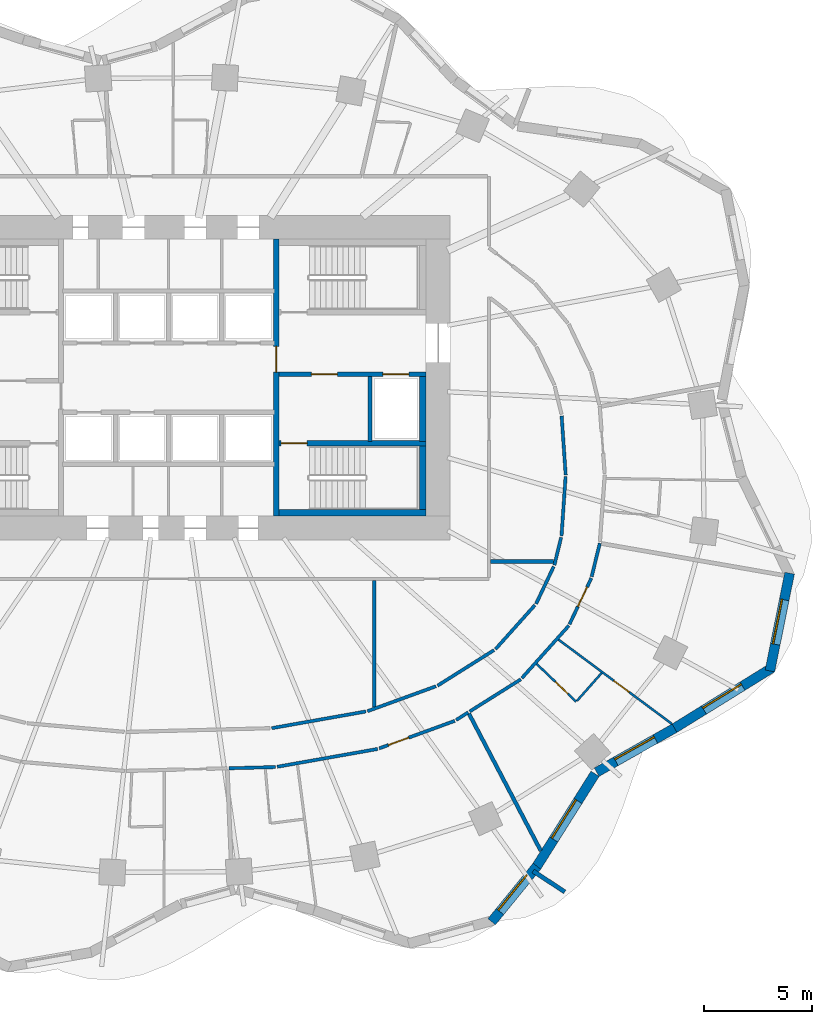
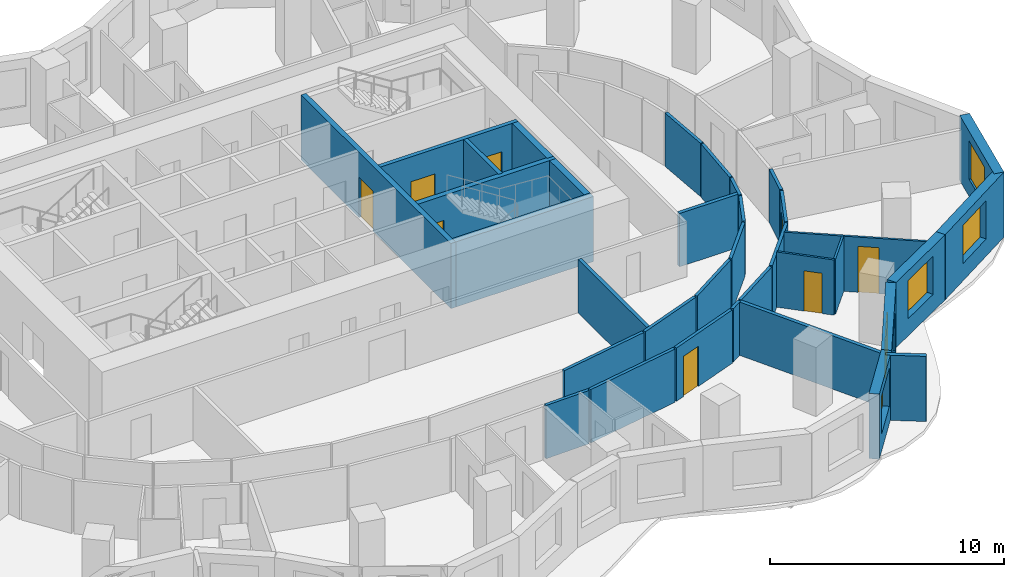
# One storey, part 6 of 10: 35 walls, 8 doors, 5 windows, 13 openings.
"""IFC4 building model written with IfcOpenShell, lengths in metres."""

from ifc_helpers import new_model, si_unit, direction, frame, frame_2d, origin, place, context, subcontext, project, spatial, rectangle, extrude, material, layer, layer_set, type_object, element, fill, save


model = new_model("IFC4")

# Units and contexts
model_context = context("Model", 3, precision=1e-05, world=origin(), true_north=direction((0.0, 1.0)))
body_context = subcontext(model_context, "Body", "Model", "MODEL_VIEW")
ifc_project = project(units=[si_unit("LENGTHUNIT", "METRE"), si_unit("AREAUNIT", "SQUARE_METRE"), si_unit("VOLUMEUNIT", "CUBIC_METRE"), si_unit("PLANEANGLEUNIT", "RADIAN"), si_unit("MASSUNIT", "GRAM", prefix="KILO")], contexts=[model_context])

# Site, building, storey
site_placement = place(None, origin())
site = spatial("IfcSite", under=ifc_project, at=site_placement, CompositionType="ELEMENT")
building_placement = place(site_placement, origin())
building = spatial("IfcBuilding", under=site, at=building_placement, Name="Rubra Terraces Tower", CompositionType="ELEMENT")
storey_placement = place(building_placement, frame((0.0, 0.0, 88.800048828125)))
storey = spatial("IfcBuildingStorey", under=building, at=storey_placement, Name="L20", CompositionType="ELEMENT", Elevation=88.800048828125)

# Walls
ifc_material_1 = material(Name="Twin plasterboard on staggered steel stud, acoustic mineral wool", Category="steel")
ifc_layer_1 = layer(ifc_material_1, 0.175048828125)
ifc_layer_set_1 = layer_set([ifc_layer_1], Name="Twin plasterboard on staggered steel stud, acoustic mineral wool")
wall_type_1 = type_object("IfcWallType", Name="ACOUSTIC PARTY WALL 175", PredefinedType="PARTITIONING", material=ifc_layer_set_1)
wall_1_placement = place(storey_placement, frame((17.19287109375, -17.35986328125, 0.0), z_axis=(0.0, 0.0, 1.0), x_axis=(-0.464005717448, 0.8858322043, 0.0)))
element("IfcWall", 1, at=wall_1_placement, inside=storey, type_object=wall_type_1, Name="PARTITION", PredefinedType="PARTITIONING", context=body_context, shape_type="SweptSolid", body=[
    extrude(rectangle(XDim=7.142578125, YDim=0.175048828125, at=frame_2d((3.5712890625, 0.0))), origin(), (0.0, 0.0, 1.0), 2.783935546875),
])
wall_2_placement = place(storey_placement, frame((9.5, -10.723388671875, 0.0), z_axis=(0.0, 0.0, 1.0), x_axis=(0.0, 1.0, 0.0)))
element("IfcWall", 2, at=wall_2_placement, inside=storey, type_object=wall_type_1, Name="PARTITION", PredefinedType="PARTITIONING", context=body_context, shape_type="SweptSolid", body=[
    extrude(rectangle(XDim=5.848388671875, YDim=0.175048828125, at=frame_2d((2.92431640625, 0.0))), origin(), (0.0, 0.0, 1.0), 2.783935546875),
])
wall_3_placement = place(storey_placement, frame((14.875, -4.0, 0.0), z_axis=(0.0, 0.0, 1.0), x_axis=(1.0, 0.0, 0.0)))
element("IfcWall", 3, at=wall_3_placement, inside=storey, type_object=wall_type_1, Name="PARTITION", PredefinedType="PARTITIONING", context=body_context, shape_type="SweptSolid", body=[
    extrude(rectangle(XDim=2.912109375, YDim=0.175048828125, at=frame_2d((1.4560546875, 0.0))), origin(), (0.0, 0.0, 1.0), 2.783935546875),
])

# Wall, opening, window
ifc_material_2 = material(Name="Brick masonry red-brown", Category="masonry")
ifc_layer_2 = layer(ifc_material_2, 0.449951171875)
ifc_layer_set_2 = layer_set([ifc_layer_2], Name="Brick masonry red-brown")
wall_type_2 = type_object("IfcWallType", Name="Brick facade wall 450", PredefinedType="SOLIDWALL", material=ifc_layer_set_2)
wall_4_placement = place(storey_placement, frame((14.925537109375, -20.640869140625, 0.0), z_axis=(0.0, 0.0, 1.0), x_axis=(0.631548074669, 0.775336720001, 0.0)))
wall_4 = element("IfcWall", 4, at=wall_4_placement, inside=storey, type_object=wall_type_2, Name="Facade wall L20 bay 35", PredefinedType="SOLIDWALL", context=body_context, shape_type="SweptSolid", body=[
    extrude(rectangle(XDim=3.3076171875, YDim=0.449951171875, at=frame_2d((1.65380859375, 0.0))), origin(), (0.0, 0.0, 1.0), 3.39990234375),
])
opening_1_placement = place(wall_4_placement, frame((0.603759765625, 0.0, 0.89990234375)))
opening_1 = element("IfcOpeningElement", 5, at=opening_1_placement, cuts=wall_4, Name="Opening W1", PredefinedType="OPENING", context=body_context, shape_type="SweptSolid", body=[
    extrude(rectangle(XDim=2.10009765625, YDim=2.0, at=frame_2d((1.050048828125, 1.0))), frame((0.0, 0.23486328125, 0.0), z_axis=(0.0, -1.0, 0.0), x_axis=(1.0, 0.0, 0.0)), (0.0, 0.0, 1.0), 0.469970703125),
])
ifc_material_3 = material(Name="Clear glass in aluminium frame", Category="aluminium")
window_type = type_object("IfcWindowType", Name="Fixed deep-set window 2100 x 2000", PartitioningType="SINGLE_PANEL", PredefinedType="WINDOW", material=ifc_material_3)
window_1_placement = place(opening_1_placement, origin())
window_1 = element("IfcWindow", 6, at=window_1_placement, inside=storey, type_object=window_type, Name="Window L20 bay 35", OverallHeight=2.0, OverallWidth=2.10009765625, PartitioningType="SINGLE_PANEL", PredefinedType="WINDOW", context=body_context, shape_type="SweptSolid", body=[
    extrude(rectangle(XDim=2.10009765625, YDim=2.0, at=frame_2d((1.050048828125, 1.0))), frame((0.0, 0.135009765625, 0.0), z_axis=(0.0, -1.0, 0.0), x_axis=(1.0, 0.0, 0.0)), (0.0, 0.0, 1.0), 0.06005859375),
])
fill(opening_1, window_1)

wall_5_placement = place(storey_placement, frame((16.998291015625, -18.0986328125, 0.0), z_axis=(0.0, 0.0, 1.0), x_axis=(0.532745661304, 0.846275404559, 0.0)))
wall_5 = element("IfcWall", 7, at=wall_5_placement, inside=storey, type_object=wall_type_2, Name="Facade wall L20 bay 36", PredefinedType="SOLIDWALL", context=body_context, shape_type="SweptSolid", body=[
    extrude(rectangle(XDim=5.076171875, YDim=0.449951171875, at=frame_2d((2.5380859375, 0.0))), origin(), (0.0, 0.0, 1.0), 3.39990234375),
])
opening_2_placement = place(wall_5_placement, frame((1.488037109375, 0.0, 0.89990234375)))
opening_2 = element("IfcOpeningElement", 8, at=opening_2_placement, cuts=wall_5, Name="Opening W1", PredefinedType="OPENING", context=body_context, shape_type="SweptSolid", body=[
    extrude(rectangle(XDim=2.10009765625, YDim=2.0, at=frame_2d((1.050048828125, 1.0))), frame((0.0, 0.23486328125, 0.0), z_axis=(0.0, -1.0, 0.0), x_axis=(1.0, 0.0, 0.0)), (0.0, 0.0, 1.0), 0.469970703125),
])
window_2_placement = place(opening_2_placement, origin())
window_2 = element("IfcWindow", 9, at=window_2_placement, inside=storey, type_object=window_type, Name="Window L20 bay 36", OverallHeight=2.0, OverallWidth=2.10009765625, PartitioningType="SINGLE_PANEL", PredefinedType="WINDOW", context=body_context, shape_type="SweptSolid", body=[
    extrude(rectangle(XDim=2.10009765625, YDim=2.0, at=frame_2d((1.050048828125, 1.0))), frame((0.0, 0.135009765625, 0.0), z_axis=(0.0, -1.0, 0.0), x_axis=(1.0, 0.0, 0.0)), (0.0, 0.0, 1.0), 0.06005859375),
])
fill(opening_2, window_2)

wall_6_placement = place(storey_placement, frame((19.77587890625, -13.730712890625, 0.0), z_axis=(0.0, 0.0, 1.0), x_axis=(0.870610133829, 0.491973571318, 0.0)))
wall_6 = element("IfcWall", 10, at=wall_6_placement, inside=storey, type_object=wall_type_2, Name="Facade wall L20 bay 37", PredefinedType="SOLIDWALL", context=body_context, shape_type="SweptSolid", body=[
    extrude(rectangle(XDim=4.1337890625, YDim=0.449951171875, at=frame_2d((2.06689453125, 0.0))), origin(), (0.0, 0.0, 1.0), 3.39990234375),
])
opening_3_placement = place(wall_6_placement, frame((1.016845703125, 0.0, 0.89990234375)))
opening_3 = element("IfcOpeningElement", 11, at=opening_3_placement, cuts=wall_6, Name="Opening W1", PredefinedType="OPENING", context=body_context, shape_type="SweptSolid", body=[
    extrude(rectangle(XDim=2.10009765625, YDim=2.0, at=frame_2d((1.050048828125, 1.0))), frame((0.0, 0.23486328125, 0.0), z_axis=(0.0, -1.0, 0.0), x_axis=(1.0, 0.0, 0.0)), (0.0, 0.0, 1.0), 0.469970703125),
])
window_3_placement = place(opening_3_placement, origin())
window_3 = element("IfcWindow", 12, at=window_3_placement, inside=storey, type_object=window_type, Name="Window L20 bay 37", OverallHeight=2.0, OverallWidth=2.10009765625, PartitioningType="SINGLE_PANEL", PredefinedType="WINDOW", context=body_context, shape_type="SweptSolid", body=[
    extrude(rectangle(XDim=2.10009765625, YDim=2.0, at=frame_2d((1.050048828125, 1.0))), frame((0.0, 0.135009765625, 0.0), z_axis=(0.0, -1.0, 0.0), x_axis=(1.0, 0.0, 0.0)), (0.0, 0.0, 1.0), 0.06005859375),
])
fill(opening_3, window_3)

wall_7_placement = place(storey_placement, frame((23.368408203125, -11.700927734375, 0.0), z_axis=(0.0, 0.0, 1.0), x_axis=(0.850251408633, 0.526376806211, 0.0)))
wall_7 = element("IfcWall", 13, at=wall_7_placement, inside=storey, type_object=wall_type_2, Name="Facade wall L20 bay 38", PredefinedType="SOLIDWALL", context=body_context, shape_type="SweptSolid", body=[
    extrude(rectangle(XDim=5.30224609375, YDim=0.449951171875, at=frame_2d((2.651123046875, 0.0))), origin(), (0.0, 0.0, 1.0), 3.39990234375),
])
opening_4_placement = place(wall_7_placement, frame((1.601318359375, 0.0, 0.89990234375)))
opening_4 = element("IfcOpeningElement", 14, at=opening_4_placement, cuts=wall_7, Name="Opening W1", PredefinedType="OPENING", context=body_context, shape_type="SweptSolid", body=[
    extrude(rectangle(XDim=2.10009765625, YDim=2.0, at=frame_2d((1.050048828125, 1.0))), frame((0.0, 0.23486328125, 0.0), z_axis=(0.0, -1.0, 0.0), x_axis=(1.0, 0.0, 0.0)), (0.0, 0.0, 1.0), 0.469970703125),
])
window_4_placement = place(opening_4_placement, origin())
window_4 = element("IfcWindow", 15, at=window_4_placement, inside=storey, type_object=window_type, Name="Window L20 bay 38", OverallHeight=2.0, OverallWidth=2.10009765625, PartitioningType="SINGLE_PANEL", PredefinedType="WINDOW", context=body_context, shape_type="SweptSolid", body=[
    extrude(rectangle(XDim=2.10009765625, YDim=2.0, at=frame_2d((1.050048828125, 1.0))), frame((0.0, 0.135009765625, 0.0), z_axis=(0.0, -1.0, 0.0), x_axis=(1.0, 0.0, 0.0)), (0.0, 0.0, 1.0), 0.06005859375),
])
fill(opening_4, window_4)

wall_8_placement = place(storey_placement, frame((27.779541015625, -9.053466796875, 0.0), z_axis=(0.0, 0.0, 1.0), x_axis=(0.197796229105, 0.980243159503, 0.0)))
wall_8 = element("IfcWall", 16, at=wall_8_placement, inside=storey, type_object=wall_type_2, Name="Facade wall L20 bay 39", PredefinedType="SOLIDWALL", context=body_context, shape_type="SweptSolid", body=[
    extrude(rectangle(XDim=4.610107421875, YDim=0.449951171875, at=frame_2d((2.30517578125, 0.0))), origin(), (0.0, 0.0, 1.0), 3.39990234375),
])
opening_5_placement = place(wall_8_placement, frame((1.255126953125, 0.0, 0.89990234375)))
opening_5 = element("IfcOpeningElement", 17, at=opening_5_placement, cuts=wall_8, Name="Opening W1", PredefinedType="OPENING", context=body_context, shape_type="SweptSolid", body=[
    extrude(rectangle(XDim=2.10009765625, YDim=2.0, at=frame_2d((1.050048828125, 1.0))), frame((0.0, 0.23486328125, 0.0), z_axis=(0.0, -1.0, 0.0), x_axis=(1.0, 0.0, 0.0)), (0.0, 0.0, 1.0), 0.469970703125),
])
window_5_placement = place(opening_5_placement, origin())
window_5 = element("IfcWindow", 18, at=window_5_placement, inside=storey, type_object=window_type, Name="Window L20 bay 39", OverallHeight=2.0, OverallWidth=2.10009765625, PartitioningType="SINGLE_PANEL", PredefinedType="WINDOW", context=body_context, shape_type="SweptSolid", body=[
    extrude(rectangle(XDim=2.10009765625, YDim=2.0, at=frame_2d((1.050048828125, 1.0))), frame((0.0, 0.135009765625, 0.0), z_axis=(0.0, -1.0, 0.0), x_axis=(1.0, 0.0, 0.0)), (0.0, 0.0, 1.0), 0.06005859375),
])
fill(opening_5, window_5)

# Walls
ifc_layer_3 = layer(ifc_material_2, 0.199951171875)
ifc_layer_set_3 = layer_set([ifc_layer_3], Name="Brick masonry red-brown")
wall_type_3 = type_object("IfcWallType", Name="Brick wind fin 200", PredefinedType="SOLIDWALL", material=ifc_layer_set_3)
wall_9_placement = place(storey_placement, frame((16.837890625, -18.298095703125, 0.0), z_axis=(0.0, 0.0, 1.0), x_axis=(0.835871900419, -0.548924554097, 0.0)))
element("IfcWall", 19, at=wall_9_placement, inside=storey, type_object=wall_type_3, Name="Wind fin L20 21", PredefinedType="SOLIDWALL", context=body_context, shape_type="SweptSolid", body=[
    extrude(rectangle(XDim=1.750244140625, YDim=0.199951171875, at=frame_2d((0.875, 0.0))), origin(), (0.0, 0.0, 1.0), 3.39990234375),
])
ifc_material_4 = material(Name="Plasterboard on steel stud, mineral wool infill", Category="steel")
ifc_layer_4 = layer(ifc_material_4, 0.14990234375)
ifc_layer_set_4 = layer_set([ifc_layer_4], Name="Plasterboard on steel stud, mineral wool infill")
wall_type_4 = type_object("IfcWallType", Name="CORRIDOR PARTITION 150", PredefinedType="PARTITIONING", material=ifc_layer_set_4)
wall_10_placement = place(storey_placement, frame((2.781494140625, -13.54931640625, 0.0), z_axis=(0.0, 0.0, 1.0), x_axis=(0.999665013714, 0.025881660615, 0.0)))
element("IfcWall", 20, at=wall_10_placement, inside=storey, type_object=wall_type_4, Name="PARTITION", PredefinedType="PARTITIONING", context=body_context, shape_type="SweptSolid", body=[
    extrude(rectangle(XDim=2.16015625, YDim=0.14990234375, at=frame_2d((1.080078125, 0.0))), origin(), (0.0, 0.0, 1.0), 2.783935546875),
])
wall_11_placement = place(storey_placement, frame((5.0146484375, -13.480224609375, 0.0), z_axis=(0.0, 0.0, 1.0), x_axis=(0.984637772103, 0.174609443467, 0.0)))
element("IfcWall", 21, at=wall_11_placement, inside=storey, type_object=wall_type_4, Name="PARTITION", PredefinedType="PARTITIONING", context=body_context, shape_type="SweptSolid", body=[
    extrude(rectangle(XDim=4.71484375, YDim=0.14990234375, at=frame_2d((2.357421875, 0.0))), origin(), (0.0, 0.0, 1.0), 2.783935546875),
])

# Wall, opening, door
wall_12_placement = place(storey_placement, frame((9.7275390625, -12.631103515625, 0.0), z_axis=(0.0, 0.0, 1.0), x_axis=(0.939626438181, 0.342201923826, 0.0)))
wall_12 = element("IfcWall", 22, at=wall_12_placement, inside=storey, type_object=wall_type_4, Name="PARTITION", PredefinedType="PARTITIONING", context=body_context, shape_type="SweptSolid", body=[
    extrude(rectangle(XDim=3.71630859375, YDim=0.14990234375, at=frame_2d((1.858154296875, 0.0))), origin(), (0.0, 0.0, 1.0), 2.783935546875),
])
opening_6_placement = place(wall_12_placement, frame((0.449951171875, 0.0, 0.0)))
opening_6 = element("IfcOpeningElement", 23, at=opening_6_placement, cuts=wall_12, Name="Opening 20-120", PredefinedType="OPENING", context=body_context, shape_type="SweptSolid", body=[
    extrude(rectangle(XDim=1.0, YDim=2.10009765625, at=frame_2d((0.5, 1.050048828125))), frame((0.0, 0.0849609375, 0.0), z_axis=(0.0, -1.0, 0.0), x_axis=(1.0, 0.0, 0.0)), (0.0, 0.0, 1.0), 0.169921875),
])
ifc_material_5 = material(Name="Painted timber door leaf", Category="wood")
door_type_1 = type_object("IfcDoorType", Name="ROOM DOOR 1000 X 2100", OperationType="SINGLE_SWING_LEFT", PredefinedType="DOOR", material=ifc_material_5)
door_1_placement = place(opening_6_placement, origin())
door_1 = element("IfcDoor", 24, at=door_1_placement, inside=storey, type_object=door_type_1, Name="DOOR 20-120", OperationType="SINGLE_SWING_RIGHT", OverallHeight=2.10009765625, OverallWidth=1.0, PredefinedType="DOOR", context=body_context, shape_type="SweptSolid", body=[
    extrude(rectangle(XDim=1.0, YDim=2.10009765625, at=frame_2d((0.5, 1.050048828125))), frame((0.0, 0.02490234375, 0.0), z_axis=(0.0, -1.0, 0.0), x_axis=(1.0, 0.0, 0.0)), (0.0, 0.0, 1.0), 0.050048828125),
])
fill(opening_6, door_1)

# Walls
wall_13_placement = place(storey_placement, frame((13.282958984375, -11.3193359375, 0.0), z_axis=(0.0, 0.0, 1.0), x_axis=(0.846275904875, 0.532744866543, 0.0)))
element("IfcWall", 25, at=wall_13_placement, inside=storey, type_object=wall_type_4, Name="PARTITION", PredefinedType="PARTITIONING", context=body_context, shape_type="SweptSolid", body=[
    extrude(rectangle(XDim=0.66259765625, YDim=0.14990234375, at=frame_2d((0.331298828125, 0.0))), origin(), (0.0, 0.0, 1.0), 2.783935546875),
])
wall_14_placement = place(storey_placement, frame((13.9072265625, -10.926513671875, 0.0), z_axis=(0.0, 0.0, 1.0), x_axis=(0.846289768331, 0.53272284353, 0.0)))
element("IfcWall", 26, at=wall_14_placement, inside=storey, type_object=wall_type_4, Name="PARTITION", PredefinedType="PARTITIONING", context=body_context, shape_type="SweptSolid", body=[
    extrude(rectangle(XDim=2.792724609375, YDim=0.14990234375, at=frame_2d((1.396484375, 0.0))), origin(), (0.0, 0.0, 1.0), 2.783935546875),
])
wall_15_placement = place(storey_placement, frame((16.32080078125, -9.3828125, 0.0), z_axis=(0.0, 0.0, 1.0), x_axis=(0.666834356165, 0.745205972492, 0.0)))
element("IfcWall", 27, at=wall_15_placement, inside=storey, type_object=wall_type_4, Name="PARTITION", PredefinedType="PARTITIONING", context=body_context, shape_type="SweptSolid", body=[
    extrude(rectangle(XDim=3.252197265625, YDim=0.14990234375, at=frame_2d((1.6259765625, 0.0))), origin(), (0.0, 0.0, 1.0), 2.783935546875),
])

# Wall, opening, door
wall_16_placement = place(storey_placement, frame((18.521728515625, -6.891357421875, 0.0), z_axis=(0.0, 0.0, 1.0), x_axis=(0.428157819028, 0.903703979191, 0.0)))
wall_16 = element("IfcWall", 28, at=wall_16_placement, inside=storey, type_object=wall_type_4, Name="PARTITION", PredefinedType="PARTITIONING", context=body_context, shape_type="SweptSolid", body=[
    extrude(rectangle(XDim=2.349365234375, YDim=0.14990234375, at=frame_2d((1.1748046875, 0.0))), origin(), (0.0, 0.0, 1.0), 2.783935546875),
])
opening_7_placement = place(wall_16_placement, frame((0.89990234375, 0.0, 0.0)))
opening_7 = element("IfcOpeningElement", 29, at=opening_7_placement, cuts=wall_16, Name="Opening 20-123", PredefinedType="OPENING", context=body_context, shape_type="SweptSolid", body=[
    extrude(rectangle(XDim=1.0, YDim=2.10009765625, at=frame_2d((0.5, 1.050048828125))), frame((0.0, 0.0849609375, 0.0), z_axis=(0.0, -1.0, 0.0), x_axis=(1.0, 0.0, 0.0)), (0.0, 0.0, 1.0), 0.169921875),
])
door_2_placement = place(opening_7_placement, origin())
door_2 = element("IfcDoor", 30, at=door_2_placement, inside=storey, type_object=door_type_1, Name="DOOR 20-123", OperationType="SINGLE_SWING_RIGHT", OverallHeight=2.10009765625, OverallWidth=1.0, PredefinedType="DOOR", context=body_context, shape_type="SweptSolid", body=[
    extrude(rectangle(XDim=1.0, YDim=2.10009765625, at=frame_2d((0.5, 1.050048828125))), frame((0.0, 0.02490234375, 0.0), z_axis=(0.0, -1.0, 0.0), x_axis=(1.0, 0.0, 0.0)), (0.0, 0.0, 1.0), 0.050048828125),
])
fill(opening_7, door_2)

# Walls
wall_17_placement = place(storey_placement, frame((19.54541015625, -4.695556640625, 0.0), z_axis=(0.0, 0.0, 1.0), x_axis=(0.236715862945, 0.971578921257, 0.0)))
element("IfcWall", 31, at=wall_17_placement, inside=storey, type_object=wall_type_4, Name="PARTITION", PredefinedType="PARTITIONING", context=body_context, shape_type="SweptSolid", body=[
    extrude(rectangle(XDim=1.59033203125, YDim=0.14990234375, at=frame_2d((0.795166015625, 0.0))), origin(), (0.0, 0.0, 1.0), 2.783935546875),
])
for number, where, z_axis, x_axis, name in (
    (32, (18.157470703125, 2.734130859375, 0.0), (0.0, 0.0, 1.0), (0.068328193832, -0.997662897941, 0.0), "PARTITION"),
    (33, (18.339599609375, -0.07470703125, 0.0), (0.0, 0.0, 1.0), (-0.068328193832, -0.997662897941, 0.0), "PARTITION"),
):
    element("IfcWall", number, at=place(storey_placement, frame(where, z_axis=z_axis, x_axis=x_axis)), inside=storey, type_object=wall_type_4, Name=name, PredefinedType="PARTITIONING", context=body_context, shape_type="SweptSolid", body=[
        extrude(rectangle(XDim=2.740478515625, YDim=0.14990234375, at=frame_2d((1.3701171875, 0.0))), origin(), (0.0, 0.0, 1.0), 2.783935546875),
    ])
wall_18_placement = place(storey_placement, frame((18.134521484375, -2.8818359375, 0.0), z_axis=(0.0, 0.0, 1.0), x_axis=(-0.236653741324, -0.971594054489, 0.0)))
element("IfcWall", 34, at=wall_18_placement, inside=storey, type_object=wall_type_4, Name="PARTITION", PredefinedType="PARTITIONING", context=body_context, shape_type="SweptSolid", body=[
    extrude(rectangle(XDim=1.319580078125, YDim=0.14990234375, at=frame_2d((0.65966796875, 0.0))), origin(), (0.0, 0.0, 1.0), 2.783935546875),
])
wall_19_placement = place(storey_placement, frame((17.7900390625, -4.2314453125, 0.0), z_axis=(0.0, 0.0, 1.0), x_axis=(-0.428042272357, -0.90375871397, 0.0)))
element("IfcWall", 35, at=wall_19_placement, inside=storey, type_object=wall_type_4, Name="PARTITION", PredefinedType="PARTITIONING", context=body_context, shape_type="SweptSolid", body=[
    extrude(rectangle(XDim=1.905029296875, YDim=0.14990234375, at=frame_2d((0.95263671875, 0.0))), origin(), (0.0, 0.0, 1.0), 2.783935546875),
])
wall_20_placement = place(storey_placement, frame((16.924560546875, -6.009033203125, 0.0), z_axis=(0.0, 0.0, 1.0), x_axis=(-0.666893859891, -0.745152722359, 0.0)))
element("IfcWall", 36, at=wall_20_placement, inside=storey, type_object=wall_type_4, Name="PARTITION", PredefinedType="PARTITIONING", context=body_context, shape_type="SweptSolid", body=[
    extrude(rectangle(XDim=2.739013671875, YDim=0.14990234375, at=frame_2d((1.36962890625, 0.0))), origin(), (0.0, 0.0, 1.0), 2.783935546875),
])
wall_21_placement = place(storey_placement, frame((15.034423828125, -8.090087890625, 0.0), z_axis=(0.0, 0.0, 1.0), x_axis=(-0.846322679414, -0.532670557014, 0.0)))
element("IfcWall", 37, at=wall_21_placement, inside=storey, type_object=wall_type_4, Name="PARTITION", PredefinedType="PARTITIONING", context=body_context, shape_type="SweptSolid", body=[
    extrude(rectangle(XDim=3.08544921875, YDim=0.14990234375, at=frame_2d((1.542724609375, 0.0))), origin(), (0.0, 0.0, 1.0), 2.783935546875),
])
wall_22_placement = place(storey_placement, frame((12.3525390625, -9.759521484375, 0.0), z_axis=(0.0, 0.0, 1.0), x_axis=(-0.939632450309, -0.342185415127, 0.0)))
element("IfcWall", 38, at=wall_22_placement, inside=storey, type_object=wall_type_4, Name="PARTITION", PredefinedType="PARTITIONING", context=body_context, shape_type="SweptSolid", body=[
    extrude(rectangle(XDim=3.36767578125, YDim=0.14990234375, at=frame_2d((1.683837890625, 0.0))), origin(), (0.0, 0.0, 1.0), 2.783935546875),
])
wall_23_placement = place(storey_placement, frame((9.114501953125, -10.925048828125, 0.0), z_axis=(0.0, 0.0, 1.0), x_axis=(-0.984632605417, -0.174638576352, 0.0)))
element("IfcWall", 39, at=wall_23_placement, inside=storey, type_object=wall_type_4, Name="PARTITION", PredefinedType="PARTITIONING", context=body_context, shape_type="SweptSolid", body=[
    extrude(rectangle(XDim=4.423095703125, YDim=0.14990234375, at=frame_2d((2.21142578125, 0.0))), origin(), (0.0, 0.0, 1.0), 2.783935546875),
])
ifc_material_6 = material(Name="Concrete C40", Category="concrete")
ifc_layer_5 = layer(ifc_material_6, 0.300048828125)
ifc_layer_set_5 = layer_set([ifc_layer_5], Name="Concrete C40")
wall_type_5 = type_object("IfcWallType", Name="Core lining wall 300 concrete", PredefinedType="SOLIDWALL", material=ifc_layer_set_5)
wall_24_placement = place(storey_placement, frame((11.75, 4.550048828125, 0.0), z_axis=(0.0, 0.0, 1.0), x_axis=(0.0, -1.0, 0.0)))
element("IfcWall", 40, at=wall_24_placement, inside=storey, type_object=wall_type_5, Name="CORE LINING WALL L20", PredefinedType="SOLIDWALL", context=body_context, shape_type="SweptSolid", body=[
    extrude(rectangle(XDim=3.0, YDim=0.300048828125, at=frame_2d((1.5, 0.0))), origin(), (0.0, 0.0, 1.0), 3.39990234375),
])
wall_25_placement = place(storey_placement, frame((11.75, 1.35009765625, 0.0), z_axis=(0.0, 0.0, 1.0), x_axis=(0.0, -1.0, 0.0)))
element("IfcWall", 41, at=wall_25_placement, inside=storey, type_object=wall_type_5, Name="CORE LINING WALL L20", PredefinedType="SOLIDWALL", context=body_context, shape_type="SweptSolid", body=[
    extrude(rectangle(XDim=2.9501953125, YDim=0.300048828125, at=frame_2d((1.47509765625, 0.0))), origin(), (0.0, 0.0, 1.0), 3.39990234375),
])
wall_26_placement = place(storey_placement, frame((11.89990234375, -1.75, 0.0), z_axis=(0.0, 0.0, 1.0), x_axis=(-1.0, 0.0, 0.0)))
element("IfcWall", 42, at=wall_26_placement, inside=storey, type_object=wall_type_5, Name="CORE LINING WALL L20", PredefinedType="SOLIDWALL", context=body_context, shape_type="SweptSolid", body=[
    extrude(rectangle(XDim=6.7998046875, YDim=0.300048828125, at=frame_2d((3.39990234375, 0.0))), origin(), (0.0, 0.0, 1.0), 3.39990234375),
])

# Wall, openings, doors
ifc_material_7 = material(Name="Concrete C30", Category="concrete")
ifc_layer_6 = layer(ifc_material_7, 0.199951171875)
ifc_layer_set_6 = layer_set([ifc_layer_6], Name="Concrete C30")
wall_type_6 = type_object("IfcWallType", Name="Core wall 200 concrete", PredefinedType="SOLIDWALL", material=ifc_layer_set_6)
wall_27_placement = place(storey_placement, frame((11.89990234375, 4.64990234375, 0.0), z_axis=(0.0, 0.0, 1.0), x_axis=(-1.0, 0.0, 0.0)))
wall_27 = element("IfcWall", 43, at=wall_27_placement, inside=storey, type_object=wall_type_6, Name="STAIR WALL L20", PredefinedType="SOLIDWALL", context=body_context, shape_type="SweptSolid", body=[
    extrude(rectangle(XDim=6.7998046875, YDim=0.199951171875, at=frame_2d((3.39990234375, 0.0))), origin(), (0.0, 0.0, 1.0), 3.39990234375),
])
opening_8_placement = place(wall_27_placement, frame((4.10009765625, 0.0, 0.0)))
opening_8 = element("IfcOpeningElement", 44, at=opening_8_placement, cuts=wall_27, Name="Opening L20.C06", PredefinedType="OPENING", context=body_context, shape_type="SweptSolid", body=[
    extrude(rectangle(XDim=1.199951171875, YDim=2.10009765625, at=frame_2d((0.60009765625, 1.050048828125))), frame((0.0, 0.10986328125, 0.0), z_axis=(0.0, -1.0, 0.0), x_axis=(1.0, 0.0, 0.0)), (0.0, 0.0, 1.0), 0.219970703125),
])
opening_9_placement = place(wall_27_placement, frame((0.800048828125, 0.0, 0.0)))
opening_9 = element("IfcOpeningElement", 45, at=opening_9_placement, cuts=wall_27, Name="Opening L20.C12", PredefinedType="OPENING", context=body_context, shape_type="SweptSolid", body=[
    extrude(rectangle(XDim=1.199951171875, YDim=2.10009765625, at=frame_2d((0.60009765625, 1.050048828125))), frame((0.0, 0.10986328125, 0.0), z_axis=(0.0, -1.0, 0.0), x_axis=(1.0, 0.0, 0.0)), (0.0, 0.0, 1.0), 0.219970703125),
])
ifc_material_8 = material(Name="Painted steel", Category="steel")
door_type_2 = type_object("IfcDoorType", Name="Fire door 1200x2100 single", OperationType="NOTDEFINED", PredefinedType="DOOR", material=ifc_material_8)
door_3_placement = place(opening_8_placement, origin())
door_3 = element("IfcDoor", 46, at=door_3_placement, inside=storey, type_object=door_type_2, Name="Stair vestibule door S4", OperationType="SINGLE_SWING_RIGHT", OverallHeight=2.10009765625, OverallWidth=1.199951171875, PredefinedType="DOOR", context=body_context, shape_type="SweptSolid", body=[
    extrude(rectangle(XDim=1.199951171875, YDim=2.10009765625, at=frame_2d((0.60009765625, 1.050048828125))), frame((0.0, 0.02490234375, 0.0), z_axis=(0.0, -1.0, 0.0), x_axis=(1.0, 0.0, 0.0)), (0.0, 0.0, 1.0), 0.050048828125),
])
fill(opening_8, door_3)
ifc_material_9 = material(Name="Stainless steel", Category="steel")
door_type_3 = type_object("IfcDoorType", Name="Lift landing door 1200x2100", OperationType="NOTDEFINED", PredefinedType="DOOR", material=ifc_material_9)
door_4_placement = place(opening_9_placement, origin())
door_4 = element("IfcDoor", 47, at=door_4_placement, inside=storey, type_object=door_type_3, Name="Landing door FF2", OperationType="SLIDING_TO_RIGHT", OverallHeight=2.10009765625, OverallWidth=1.199951171875, PredefinedType="DOOR", context=body_context, shape_type="SweptSolid", body=[
    extrude(rectangle(XDim=1.199951171875, YDim=2.10009765625, at=frame_2d((0.60009765625, 1.050048828125))), frame((0.0, 0.02490234375, 0.0), z_axis=(0.0, -1.0, 0.0), x_axis=(1.0, 0.0, 0.0)), (0.0, 0.0, 1.0), 0.050048828125),
])
fill(opening_9, door_4)

# Wall
wall_28_placement = place(storey_placement, frame((9.300048828125, 4.550048828125, 0.0), z_axis=(0.0, 0.0, 1.0), x_axis=(0.0, -1.0, 0.0)))
element("IfcWall", 48, at=wall_28_placement, inside=storey, type_object=wall_type_6, Name="STAIR WALL L20", PredefinedType="SOLIDWALL", context=body_context, shape_type="SweptSolid", body=[
    extrude(rectangle(XDim=3.0, YDim=0.199951171875, at=frame_2d((1.5, 0.0))), origin(), (0.0, 0.0, 1.0), 3.39990234375),
])

# Wall, opening, door
ifc_material_10 = material(Name="Plasterboard on steel stud", Category="steel")
ifc_layer_7 = layer(ifc_material_10, 0.10009765625)
ifc_layer_set_7 = layer_set([ifc_layer_7], Name="Plasterboard on steel stud")
wall_type_7 = type_object("IfcWallType", Name="ROOM PARTITION 100", PredefinedType="PARTITIONING", material=ifc_layer_set_7)
wall_29_placement = place(storey_placement, frame((23.256103515625, -11.501220703125, 0.0), z_axis=(0.0, 0.0, 1.0), x_axis=(-0.802700401869, 0.596382482003, 0.0)))
wall_29 = element("IfcWall", 49, at=wall_29_placement, inside=storey, type_object=wall_type_7, Name="PARTITION", PredefinedType="PARTITIONING", context=body_context, shape_type="SweptSolid", body=[
    extrude(rectangle(XDim=6.533203125, YDim=0.10009765625, at=frame_2d((3.2666015625, 0.0))), origin(), (0.0, 0.0, 1.0), 2.884033203125),
])
opening_10_placement = place(wall_29_placement, frame((2.4580078125, 0.0, 0.0)))
opening_10 = element("IfcOpeningElement", 50, at=opening_10_placement, cuts=wall_29, Name="Opening 20-122", PredefinedType="OPENING", context=body_context, shape_type="SweptSolid", body=[
    extrude(rectangle(XDim=0.89990234375, YDim=2.39990234375, at=frame_2d((0.449951171875, 1.199951171875))), frame((0.0, 0.06005859375, 0.0), z_axis=(0.0, -1.0, 0.0), x_axis=(1.0, 0.0, 0.0)), (0.0, 0.0, 1.0), 0.1201171875),
])
ifc_material_11 = material(Name="Veneered timber door leaf, fire-rated", Category="wood")
door_type_4 = type_object("IfcDoorType", Name="SUITE ENTRANCE DOOR 900 X 2400", OperationType="SINGLE_SWING_LEFT", PredefinedType="DOOR", material=ifc_material_11)
door_5_placement = place(opening_10_placement, origin())
door_5 = element("IfcDoor", 51, at=door_5_placement, inside=storey, type_object=door_type_4, Name="DOOR 20-122", OperationType="SINGLE_SWING_LEFT", OverallHeight=2.39990234375, OverallWidth=0.89990234375, PredefinedType="DOOR", context=body_context, shape_type="SweptSolid", body=[
    extrude(rectangle(XDim=0.89990234375, YDim=2.39990234375, at=frame_2d((0.449951171875, 1.199951171875))), frame((0.0, 0.02490234375, 0.0), z_axis=(0.0, -1.0, 0.0), x_axis=(1.0, 0.0, 0.0)), (0.0, 0.0, 1.0), 0.050048828125),
])
fill(opening_10, door_5)

wall_30_placement = place(storey_placement, frame((17.005859375, -8.729736328125, 0.0), z_axis=(0.0, 0.0, 1.0), x_axis=(0.722927369978, -0.690924031813, 0.0)))
wall_30 = element("IfcWall", 52, at=wall_30_placement, inside=storey, type_object=wall_type_7, Name="PARTITION", PredefinedType="PARTITIONING", context=body_context, shape_type="SweptSolid", body=[
    extrude(rectangle(XDim=2.525146484375, YDim=0.10009765625, at=frame_2d((1.2626953125, 0.0))), origin(), (0.0, 0.0, 1.0), 2.884033203125),
])
opening_11_placement = place(wall_30_placement, frame((1.199951171875, 0.0, 0.0)))
opening_11 = element("IfcOpeningElement", 53, at=opening_11_placement, cuts=wall_30, Name="Opening 20-121", PredefinedType="OPENING", context=body_context, shape_type="SweptSolid", body=[
    extrude(rectangle(XDim=0.800048828125, YDim=2.10009765625, at=frame_2d((0.39990234375, 1.050048828125))), frame((0.0, 0.06005859375, 0.0), z_axis=(0.0, -1.0, 0.0), x_axis=(1.0, 0.0, 0.0)), (0.0, 0.0, 1.0), 0.1201171875),
])
door_type_5 = type_object("IfcDoorType", Name="BATHROOM DOOR 800 X 2100", OperationType="SINGLE_SWING_LEFT", PredefinedType="DOOR", material=ifc_material_5)
door_6_placement = place(opening_11_placement, origin())
door_6 = element("IfcDoor", 54, at=door_6_placement, inside=storey, type_object=door_type_5, Name="DOOR 20-121", OperationType="SINGLE_SWING_LEFT", OverallHeight=2.10009765625, OverallWidth=0.800048828125, PredefinedType="DOOR", context=body_context, shape_type="SweptSolid", body=[
    extrude(rectangle(XDim=0.800048828125, YDim=2.10009765625, at=frame_2d((0.39990234375, 1.050048828125))), frame((0.0, 0.02490234375, 0.0), z_axis=(0.0, -1.0, 0.0), x_axis=(1.0, 0.0, 0.0)), (0.0, 0.0, 1.0), 0.050048828125),
])
fill(opening_11, door_6)

# Wall
wall_31_placement = place(storey_placement, frame((18.864501953125, -10.43701171875, 0.0), z_axis=(0.0, 0.0, 1.0), x_axis=(0.662901257744, 0.748706833468, 0.0)))
element("IfcWall", 55, at=wall_31_placement, inside=storey, type_object=wall_type_7, Name="PARTITION", PredefinedType="PARTITIONING", context=body_context, shape_type="SweptSolid", body=[
    extrude(rectangle(XDim=1.721435546875, YDim=0.10009765625, at=frame_2d((0.86083984375, 0.0))), origin(), (0.0, 0.0, 1.0), 2.884033203125),
])

# Wall, opening, door
ifc_layer_8 = layer(ifc_material_6, 0.25)
ifc_layer_set_8 = layer_set([ifc_layer_8], Name="Concrete C40")
wall_type_8 = type_object("IfcWallType", Name="Stair enclosure wall 250 concrete", PredefinedType="SOLIDWALL", material=ifc_layer_set_8)
wall_32_placement = place(storey_placement, frame((11.89990234375, 1.47509765625, 0.0), z_axis=(0.0, 0.0, 1.0), x_axis=(-1.0, 0.0, 0.0)))
wall_32 = element("IfcWall", 56, at=wall_32_placement, inside=storey, type_object=wall_type_8, Name="STAIR WALL L20", PredefinedType="SOLIDWALL", context=body_context, shape_type="SweptSolid", body=[
    extrude(rectangle(XDim=6.7998046875, YDim=0.25, at=frame_2d((3.39990234375, 0.0))), origin(), (0.0, 0.0, 1.0), 3.39990234375),
])
opening_12_placement = place(wall_32_placement, frame((5.5, 0.0, 0.0)))
opening_12 = element("IfcOpeningElement", 57, at=opening_12_placement, cuts=wall_32, Name="Opening L20.C10", PredefinedType="OPENING", context=body_context, shape_type="SweptSolid", body=[
    extrude(rectangle(XDim=1.199951171875, YDim=2.10009765625, at=frame_2d((0.60009765625, 1.050048828125))), frame((0.0, 0.135009765625, 0.0), z_axis=(0.0, -1.0, 0.0), x_axis=(1.0, 0.0, 0.0)), (0.0, 0.0, 1.0), 0.27001953125),
])
door_7_placement = place(opening_12_placement, origin())
door_7 = element("IfcDoor", 58, at=door_7_placement, inside=storey, type_object=door_type_2, Name="Stair door S4", OperationType="SINGLE_SWING_RIGHT", OverallHeight=2.10009765625, OverallWidth=1.199951171875, PredefinedType="DOOR", context=body_context, shape_type="SweptSolid", body=[
    extrude(rectangle(XDim=1.199951171875, YDim=2.10009765625, at=frame_2d((0.60009765625, 1.050048828125))), frame((0.0, 0.02490234375, 0.0), z_axis=(0.0, -1.0, 0.0), x_axis=(1.0, 0.0, 0.0)), (0.0, 0.0, 1.0), 0.050048828125),
])
fill(opening_12, door_7)

wall_33_placement = place(storey_placement, frame((4.97509765625, 10.89990234375, 0.0), z_axis=(0.0, 0.0, 1.0), x_axis=(0.0, -1.0, 0.0)))
wall_33 = element("IfcWall", 59, at=wall_33_placement, inside=storey, type_object=wall_type_8, Name="CORE LOBBY WALL L20", PredefinedType="SOLIDWALL", context=body_context, shape_type="SweptSolid", body=[
    extrude(rectangle(XDim=12.7998046875, YDim=0.25, at=frame_2d((6.39990234375, 0.0))), origin(), (0.0, 0.0, 1.0), 3.39990234375),
])
opening_13_placement = place(wall_33_placement, frame((4.949951171875, 0.0, 0.0)))
opening_13 = element("IfcOpeningElement", 60, at=opening_13_placement, cuts=wall_33, Name="Opening L20.C04", PredefinedType="OPENING", context=body_context, shape_type="SweptSolid", body=[
    extrude(rectangle(XDim=1.199951171875, YDim=2.10009765625, at=frame_2d((0.60009765625, 1.050048828125))), frame((0.0, 0.135009765625, 0.0), z_axis=(0.0, -1.0, 0.0), x_axis=(1.0, 0.0, 0.0)), (0.0, 0.0, 1.0), 0.27001953125),
])
door_8_placement = place(opening_13_placement, origin())
door_8 = element("IfcDoor", 61, at=door_8_placement, inside=storey, type_object=door_type_2, Name="Firefighting lobby door FF2", OperationType="SINGLE_SWING_RIGHT", OverallHeight=2.10009765625, OverallWidth=1.199951171875, PredefinedType="DOOR", context=body_context, shape_type="SweptSolid", body=[
    extrude(rectangle(XDim=1.199951171875, YDim=2.10009765625, at=frame_2d((0.60009765625, 1.050048828125))), frame((0.0, 0.02490234375, 0.0), z_axis=(0.0, -1.0, 0.0), x_axis=(1.0, 0.0, 0.0)), (0.0, 0.0, 1.0), 0.050048828125),
])
fill(opening_13, door_8)

save(model, "model.ifc")
